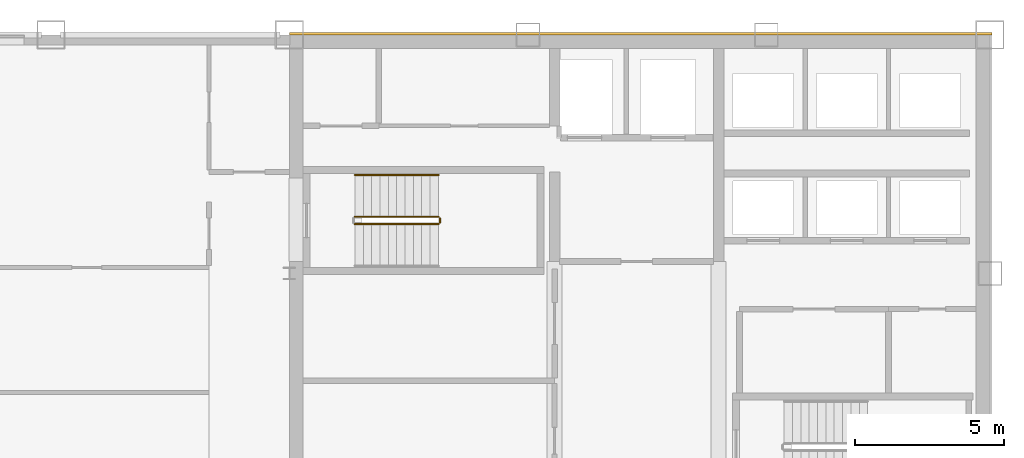
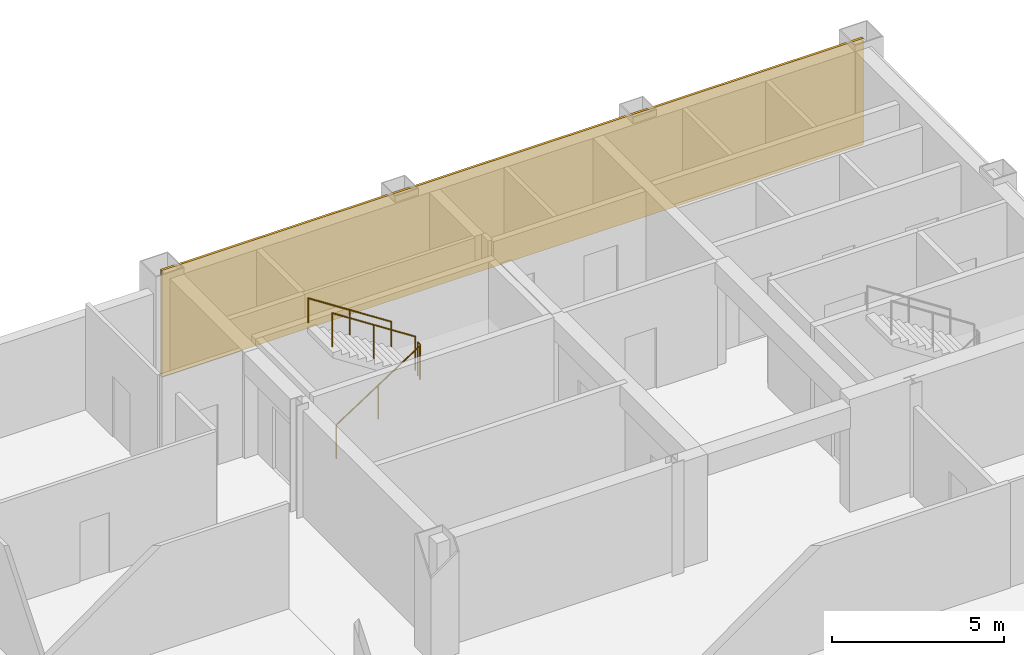
# One storey, part 10 of 10: 4 railings, 1 covering.
"""IFC4 building model written with IfcOpenShell, lengths in metres."""

from ifc_helpers import new_model, si_unit, direction, frame, origin, origin_2d, place, context, subcontext, project, spatial, rectangle, circle, extrude, material, layer, layer_set, type_object, element, save


model = new_model("IFC4")

# Units and contexts
model_context = context("Model", 3, precision=1e-05, world=origin(), true_north=direction((0.0, 1.0)))
body_context = subcontext(model_context, "Body", "Model", "MODEL_VIEW")
ifc_project = project(units=[si_unit("LENGTHUNIT", "METRE"), si_unit("AREAUNIT", "SQUARE_METRE"), si_unit("VOLUMEUNIT", "CUBIC_METRE"), si_unit("PLANEANGLEUNIT", "RADIAN"), si_unit("MASSUNIT", "GRAM", prefix="KILO")], contexts=[model_context])

# Site, building, storey
site_placement = place(None, origin())
site = spatial("IfcSite", under=ifc_project, at=site_placement, CompositionType="ELEMENT")
building_placement = place(site_placement, origin())
building = spatial("IfcBuilding", under=site, at=building_placement, Name="Qianrong Seaharbour Tower", CompositionType="ELEMENT")
storey_placement = place(building_placement, frame((0.0, 0.0, 261.800048828125)))
storey = spatial("IfcBuildingStorey", under=building, at=storey_placement, Name="L63", CompositionType="ELEMENT", Elevation=261.800048828125)

# Covering
ifc_material_1 = material(Name="Unitised red brick cladding on Precast concrete C45/55", Category="masonry")
ifc_layer = layer(ifc_material_1, 0.080078125)
ifc_layer_set = layer_set([ifc_layer], Name="Unitised red brick cladding on Precast concrete C45/55")
covering_type = type_object("IfcCoveringType", Name="COV-CLAD-RED-BRICK-80", PredefinedType="CLADDING", material=ifc_layer_set)
covering_placement = place(storey_placement, frame((52.2900390625, 52.0400390625, 0.0), z_axis=(0.0, 0.0, 1.0), x_axis=(1.0, 0.0, 0.0)))
element("IfcCovering", 1, at=covering_placement, inside=storey, type_object=covering_type, Name="L63 North Core Brick Veneer Cladding", PredefinedType="CLADDING", context=body_context, shape_type="SweptSolid", body=[
    extrude(rectangle(XDim=23.580078125, YDim=0.080078125, at=origin_2d()), origin(), (0.0, 0.0, 1.0), 3.77490234375),
])

# Railings
ifc_material_2 = material(Name="Galvanized painted steel SN400B stair guard", Category="steel")
railing_type_1 = type_object("IfcRailingType", Name="RAIL-STAIR-GUARD-1220", PredefinedType="GUARDRAIL", material=ifc_material_2)
railing_1_placement = place(storey_placement, frame((42.699951171875, 45.64990234375, 0.181884765625)))
element("IfcRailing", 2, at=railing_1_placement, inside=storey, type_object=railing_type_1, Name="L63 ST-1 stair guard 1", PredefinedType="GUARDRAIL", context=body_context, shape_type="SweptSolid", body=[
    extrude(circle(Radius=0.02392578125, at=origin_2d()), frame((0.0, 0.0, 1.19580078125), z_axis=(0.838705829183, 0.0, 0.544584733623), x_axis=(0.0, 1.0, 0.0)), (0.0, 0.0, 1.0), 3.338623046875),
    extrude(circle(Radius=0.02099609375, at=origin_2d()), origin(), (0.0, 0.0, 1.0), 1.171875),
    extrude(circle(Radius=0.02099609375, at=origin_2d()), frame((1.39990234375, 0.0, 0.9091796875)), (0.0, 0.0, 1.0), 1.171875),
    extrude(circle(Radius=0.02099609375, at=origin_2d()), frame((2.800048828125, 0.0, 1.818115234375)), (0.0, 0.0, 1.0), 1.171875),
])
railing_2_placement = place(storey_placement, frame((45.550048828125, 45.699951171875, 2.0)))
element("IfcRailing", 3, at=railing_2_placement, inside=storey, type_object=railing_type_1, Name="L63 ST-1 stair guard 2", PredefinedType="GUARDRAIL", context=body_context, shape_type="SweptSolid", body=[
    extrude(circle(Radius=0.02392578125, at=origin_2d()), frame((0.0, 0.0, 1.19580078125), z_axis=(0.0, 1.0, 0.0), x_axis=(-1.0, 0.0, 0.0)), (0.0, 0.0, 1.0), 0.150146484375),
    extrude(circle(Radius=0.02099609375, at=origin_2d()), origin(), (0.0, 0.0, 1.0), 1.171875),
    extrude(circle(Radius=0.02099609375, at=origin_2d()), frame((0.0, 0.150146484375, 0.0)), (0.0, 0.0, 1.0), 1.171875),
])
railing_3_placement = place(storey_placement, frame((45.5, 45.89990234375, 2.181884765625)))
element("IfcRailing", 4, at=railing_3_placement, inside=storey, type_object=railing_type_1, Name="L63 ST-1 stair guard 3", PredefinedType="GUARDRAIL", context=body_context, shape_type="SweptSolid", body=[
    extrude(circle(Radius=0.02392578125, at=origin_2d()), frame((0.0, 0.0, 1.19580078125), z_axis=(-0.838705829183, 0.0, 0.544584733623), x_axis=(0.0, -1.0, 0.0)), (0.0, 0.0, 1.0), 3.338623046875),
    extrude(circle(Radius=0.02099609375, at=origin_2d()), origin(), (0.0, 0.0, 1.0), 1.171875),
    extrude(circle(Radius=0.02099609375, at=origin_2d()), frame((-1.39990234375, 0.0, 0.9091796875)), (0.0, 0.0, 1.0), 1.171875),
    extrude(circle(Radius=0.02099609375, at=origin_2d()), frame((-2.800048828125, 0.0, 1.818115234375)), (0.0, 0.0, 1.0), 1.171875),
])
ifc_material_3 = material(Name="Stainless steel SUS316L continuous handrail", Category="steel")
railing_type_2 = type_object("IfcRailingType", Name="RAIL-STAIR-HANDRAIL-900", PredefinedType="HANDRAIL", material=ifc_material_3)
railing_4_placement = place(storey_placement, frame((45.5, 47.300048828125, 2.181884765625)))
element("IfcRailing", 5, at=railing_4_placement, inside=storey, type_object=railing_type_2, Name="L63 ST-1 stair handrail 2", PredefinedType="HANDRAIL", context=body_context, shape_type="SweptSolid", body=[
    extrude(circle(Radius=0.02392578125, at=origin_2d()), frame((0.0, 0.0, 0.8759765625), z_axis=(-0.838705829183, 0.0, 0.544584733623), x_axis=(0.0, -1.0, 0.0)), (0.0, 0.0, 1.0), 3.338623046875),
    extrude(circle(Radius=0.02099609375, at=origin_2d()), origin(), (0.0, 0.0, 1.0), 0.851806640625),
    extrude(circle(Radius=0.02099609375, at=origin_2d()), frame((-1.39990234375, 0.0, 0.9091796875)), (0.0, 0.0, 1.0), 0.851806640625),
    extrude(circle(Radius=0.02099609375, at=origin_2d()), frame((-2.800048828125, 0.0, 1.818115234375)), (0.0, 0.0, 1.0), 0.851806640625),
])

save(model, "model.ifc")
